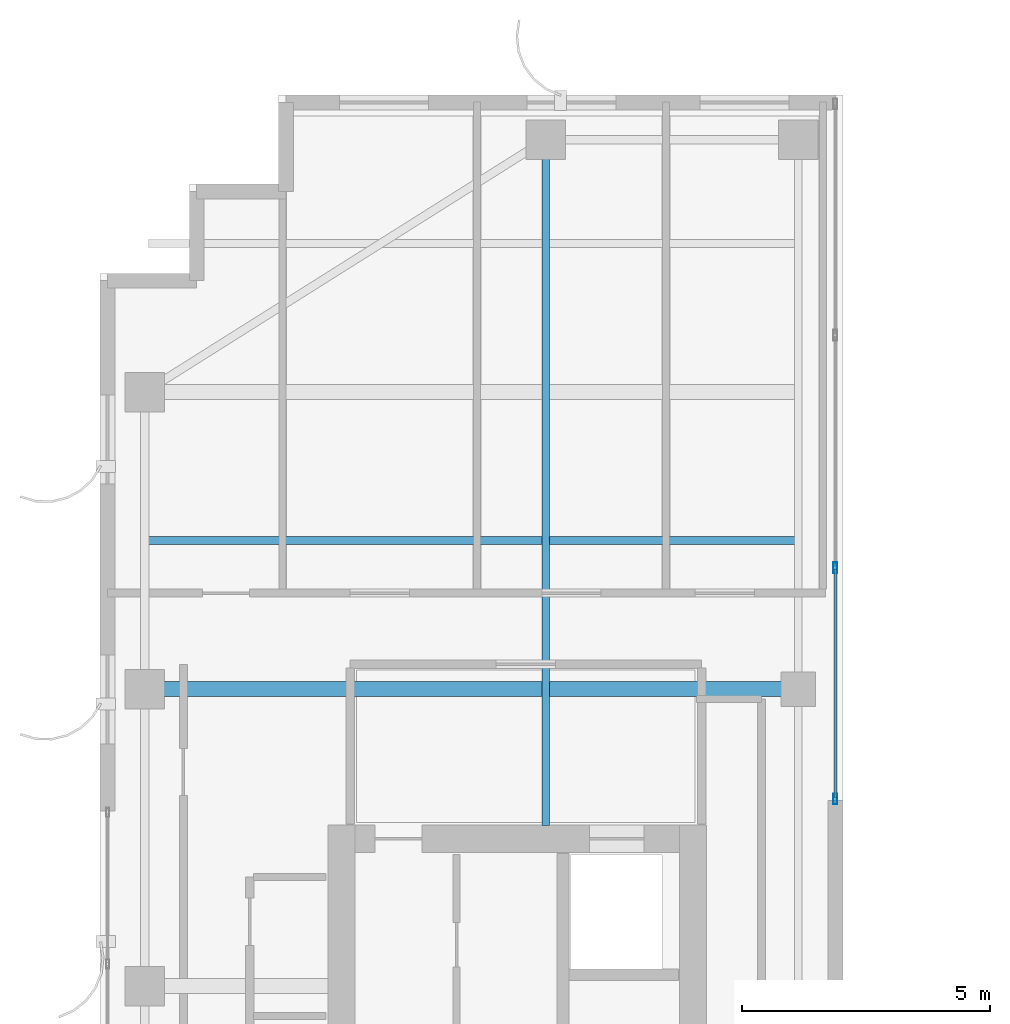
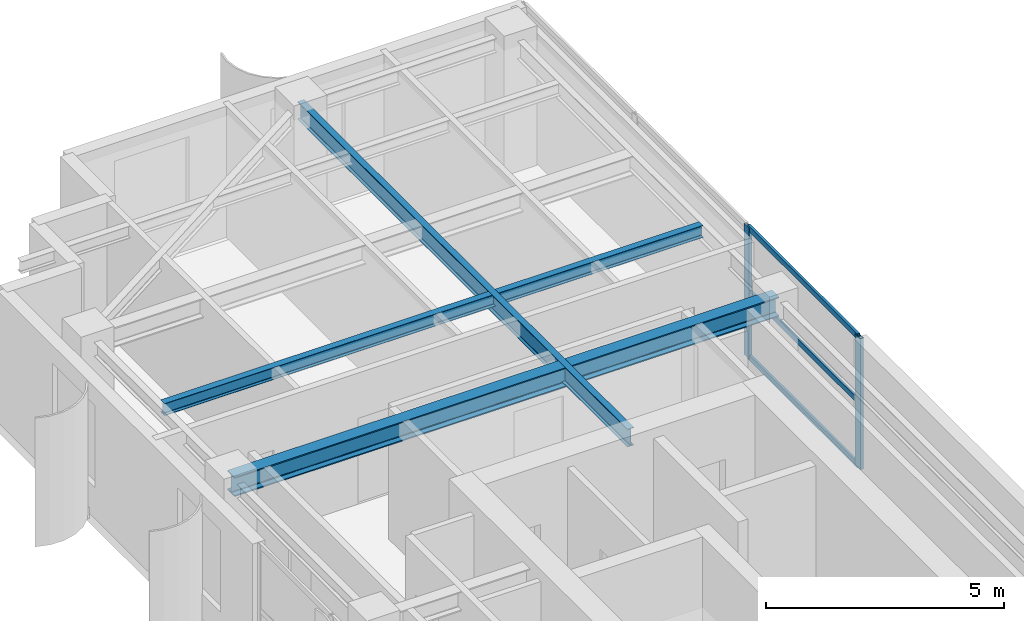
# One storey, part 9 of 24: 5 members, 3 beams, 1 element without a shape of its own.
"""IFC4 building model written with IfcOpenShell, lengths in metres."""

from ifc_helpers import new_model, si_unit, direction, frame, origin, origin_2d, place, context, subcontext, project, spatial, hollow_rectangle, i_section, extrude, source, transform, mapped, material, layer, layer_set, material_profile, profile_set, type_object, element, aggregate, save


model = new_model("IFC4")

# Units and contexts
model_context = context("Model", 3, precision=1e-05, world=origin(), true_north=direction((0.0, 1.0)))
body_context = subcontext(model_context, "Body", "Model", "MODEL_VIEW")
ifc_project = project(units=[si_unit("LENGTHUNIT", "METRE"), si_unit("AREAUNIT", "SQUARE_METRE"), si_unit("VOLUMEUNIT", "CUBIC_METRE"), si_unit("PLANEANGLEUNIT", "RADIAN"), si_unit("MASSUNIT", "GRAM", prefix="KILO")], contexts=[model_context])

# Site, building, storey
site_placement = place(None, origin())
site = spatial("IfcSite", under=ifc_project, at=site_placement, CompositionType="ELEMENT")
building_placement = place(site_placement, origin())
building = spatial("IfcBuilding", under=site, at=building_placement, Name="Khoralis Quay Care Tower", CompositionType="ELEMENT")
storey_placement = place(building_placement, frame((0.0, 0.0, 234.89990234375)))
storey = spatial("IfcBuildingStorey", under=building, at=storey_placement, Name="L61", CompositionType="ELEMENT", Elevation=234.89990234375)

# Beams
ifc_material_1 = material(Name="Steel S355", Category="steel")
ifc_material_profile_1 = material_profile(ifc_material_1, i_section(OverallWidth=0.300048828125, OverallDepth=0.5, WebThickness=0.014404296875, FlangeThickness=0.028076171875, FilletRadius=0.027099609375, at=origin_2d()), Name="Steel S355")
ifc_profile_set_1 = profile_set([ifc_material_profile_1], Name="Steel S355")
beam_type_1 = type_object("IfcBeamType", Name="BM-HEB500", PredefinedType="BEAM", material=ifc_profile_set_1)
shared_shape_1 = source(origin(), body_context, "Body", "SweptSolid", [
    extrude(i_section(OverallWidth=0.300048828125, OverallDepth=0.5, WebThickness=0.014404296875, FlangeThickness=0.028076171875, FilletRadius=0.027099609375, at=origin_2d()), origin(), (0.0, 0.0, 1.0), 13.2001953125),
])
beam_1_placement = place(storey_placement, frame((3.89990234375, 30.0, 3.110107421875), z_axis=(1.0, 0.0, 0.0), x_axis=(0.0, 1.0, 0.0)))
element("IfcBeam", 1, at=beam_1_placement, inside=storey, type_object=beam_type_1, Name="BM-TGXW-L61-300", PredefinedType="BEAM", context=body_context, shape_type="MappedRepresentation", body=[
    mapped(shared_shape_1, transform((0.0, 0.0, 0.0), scale=1.0)),
])
ifc_material_profile_2 = material_profile(ifc_material_1, i_section(OverallWidth=0.1650390625, OverallDepth=0.31005859375, WebThickness=0.005859375, FlangeThickness=0.009765625, FilletRadius=0.011962890625, at=origin_2d()), Name="Steel S355")
ifc_profile_set_2 = profile_set([ifc_material_profile_2], Name="Steel S355")
beam_type_2 = type_object("IfcBeamType", Name="BM-W310X39", PredefinedType="JOIST", material=ifc_profile_set_2)
shared_shape_2 = source(origin(), body_context, "Body", "SweptSolid", [
    extrude(i_section(OverallWidth=0.1650390625, OverallDepth=0.31005859375, WebThickness=0.005859375, FlangeThickness=0.009765625, FilletRadius=0.011962890625, at=origin_2d()), origin(), (0.0, 0.0, 1.0), 13.06396484375),
])
beam_2_placement = place(storey_placement, frame((3.970947265625, 33.0, 3.205078125), z_axis=(1.0, 0.0, 0.0), x_axis=(0.0, 1.0, 0.0)))
element("IfcBeam", 2, at=beam_2_placement, inside=storey, type_object=beam_type_2, Name="BM-TJS-L61-19", PredefinedType="JOIST", context=body_context, shape_type="MappedRepresentation", body=[
    mapped(shared_shape_2, transform((0.0, 0.0, 0.0), scale=1.0)),
])
ifc_material_profile_3 = material_profile(ifc_material_1, i_section(OverallWidth=0.154052734375, OverallDepth=0.458984375, WebThickness=0.009033203125, FlangeThickness=0.015380859375, FilletRadius=0.014892578125, at=origin_2d()), Name="Steel S355")
ifc_profile_set_3 = profile_set([ifc_material_profile_3], Name="Steel S355")
beam_type_3 = type_object("IfcBeamType", Name="BM-W460X68", PredefinedType="BEAM", material=ifc_profile_set_3)
shared_shape_3 = source(origin(), body_context, "Body", "SweptSolid", [
    extrude(i_section(OverallWidth=0.154052734375, OverallDepth=0.458984375, WebThickness=0.009033203125, FlangeThickness=0.015380859375, FilletRadius=0.014892578125, at=origin_2d()), origin(), (0.0, 0.0, 1.0), 13.85205078125),
])
beam_3_placement = place(storey_placement, frame((12.0, 27.248046875, 3.130615234375), z_axis=(0.0, 1.0, 0.0), x_axis=(-1.0, 0.0, 0.0)))
element("IfcBeam", 3, at=beam_3_placement, inside=storey, type_object=beam_type_3, Name="BM-TGYN-L61-120", PredefinedType="BEAM", context=body_context, shape_type="MappedRepresentation", body=[
    mapped(shared_shape_3, transform((0.0, 0.0, 0.0), scale=1.0)),
])

# Curtain wall, members
ifc_material_2 = material(Name="Pale anodised aluminium", Category="aluminium")
ifc_layer = layer(ifc_material_2, 0.18994140625)
ifc_layer_set = layer_set([ifc_layer], Name="Pale anodised aluminium")
curtain_wall_type = type_object("IfcCurtainWallType", Name="CW-SYS-PORTAL", PredefinedType="NOTDEFINED", material=ifc_layer_set)
curtain_wall_placement = place(storey_placement, origin())
curtain_wall = element("IfcCurtainWall", 4, at=curtain_wall_placement, inside=storey, type_object=curtain_wall_type, Name="L61 Unitised Curtain Wall CW-VP-L61-P1-N", PredefinedType="NOTDEFINED")
ifc_material_profile_4 = material_profile(ifc_material_2, hollow_rectangle(XDim=0.06005859375, YDim=0.139892578125, WallThickness=0.00390625, at=origin_2d()), Name="Pale anodised aluminium")
ifc_profile_set_4 = profile_set([ifc_material_profile_4], Name="Pale anodised aluminium")
member_type_1 = type_object("IfcMemberType", Name="CW-TRN-140", PredefinedType="USERDEFINED", material=ifc_profile_set_4)
shared_shape_4 = source(origin(), body_context, "Body", "SweptSolid", [
    extrude(hollow_rectangle(XDim=0.06005859375, YDim=0.139892578125, WallThickness=0.00390625, at=origin_2d()), origin(), (0.0, 0.0, 1.0), 4.60986328125),
])
member_1_placement = place(storey_placement, frame((17.85009765625, 27.81005859375, 0.030029296875), z_axis=(0.0, 1.0, 0.0), x_axis=(-1.0, 0.0, 0.0)))
member_1 = element("IfcMember", 5, at=member_1_placement, type_object=member_type_1, Name="CW4 transom 1.1", ObjectType="TRANSOM", PredefinedType="USERDEFINED", context=body_context, shape_type="MappedRepresentation", body=[
    mapped(shared_shape_4, transform((0.0, 0.0, 0.0), scale=1.0)),
])
member_2_placement = place(storey_placement, frame((17.85009765625, 27.81005859375, 1.68017578125), z_axis=(0.0, 1.0, 0.0), x_axis=(-1.0, 0.0, 0.0)))
member_2 = element("IfcMember", 6, at=member_2_placement, type_object=member_type_1, Name="CW4 transom 1.2", ObjectType="TRANSOM", PredefinedType="USERDEFINED", context=body_context, shape_type="MappedRepresentation", body=[
    mapped(shared_shape_4, transform((0.0, 0.0, 0.0), scale=1.0)),
])
member_3_placement = place(storey_placement, frame((17.85009765625, 27.81005859375, 3.330078125), z_axis=(0.0, 1.0, 0.0), x_axis=(-1.0, 0.0, 0.0)))
member_3 = element("IfcMember", 7, at=member_3_placement, type_object=member_type_1, Name="CW4 transom 1.3", ObjectType="TRANSOM", PredefinedType="USERDEFINED", context=body_context, shape_type="MappedRepresentation", body=[
    mapped(shared_shape_4, transform((0.0, 0.0, 0.0), scale=1.0)),
])
ifc_material_profile_5 = material_profile(ifc_material_2, hollow_rectangle(XDim=0.074951171875, YDim=0.219970703125, WallThickness=0.00390625, at=origin_2d()), Name="Pale anodised aluminium")
ifc_profile_set_5 = profile_set([ifc_material_profile_5], Name="Pale anodised aluminium")
member_type_2 = type_object("IfcMemberType", Name="CW-MUL-220", PredefinedType="MULLION", material=ifc_profile_set_5)
shared_shape_5 = source(origin(), body_context, "Body", "SweptSolid", [
    extrude(hollow_rectangle(XDim=0.074951171875, YDim=0.219970703125, WallThickness=0.00390625, at=origin_2d()), origin(), (0.0, 0.0, 1.0), 3.360107421875),
])
member_4_placement = place(storey_placement, frame((17.85009765625, 27.780029296875, 0.0), z_axis=(0.0, 0.0, 1.0), x_axis=(-1.0, 0.0, 0.0)))
member_4 = element("IfcMember", 8, at=member_4_placement, type_object=member_type_2, Name="CW4 mullion 1", PredefinedType="MULLION", context=body_context, shape_type="MappedRepresentation", body=[
    mapped(shared_shape_5, transform((0.0, 0.0, 0.0), scale=1.0)),
])
member_5_placement = place(storey_placement, frame((17.85009765625, 32.449951171875, 0.0), z_axis=(0.0, 0.0, 1.0), x_axis=(-1.0, 0.0, 0.0)))
member_5 = element("IfcMember", 9, at=member_5_placement, type_object=member_type_2, Name="CW4 mullion 2", PredefinedType="MULLION", context=body_context, shape_type="MappedRepresentation", body=[
    mapped(shared_shape_5, transform((0.0, 0.0, 0.0), scale=1.0)),
])
aggregate(curtain_wall, [member_4, member_5, member_1, member_2, member_3])

save(model, "model.ifc")
